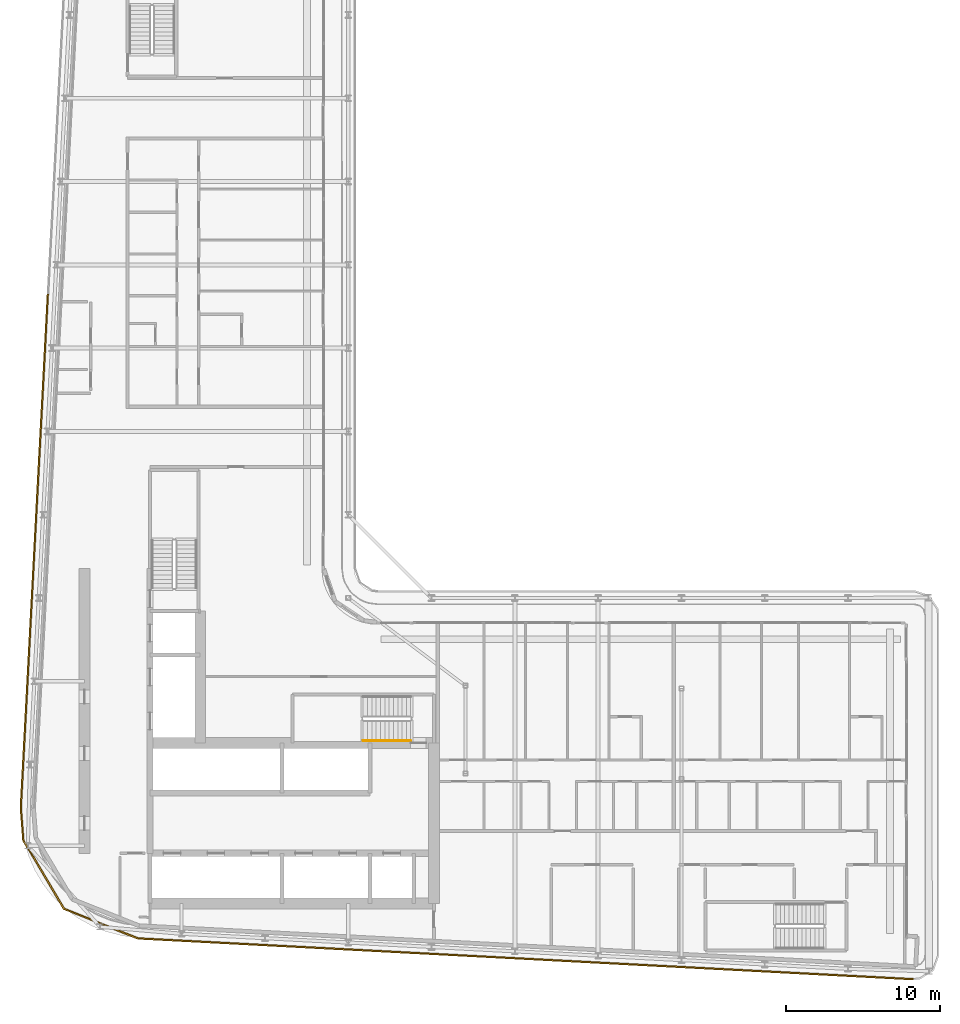
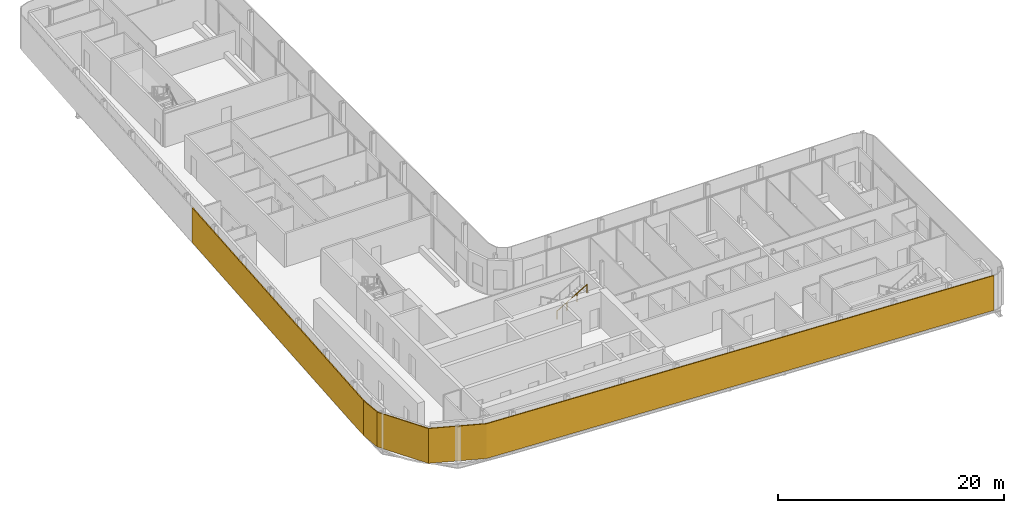
# One storey, part 17 of 23: 2 shading devices, 1 railing.
"""IFC4 building model written with IfcOpenShell, lengths in metres."""

from ifc_helpers import new_model, si_unit, direction, frame, origin, origin_2d, place, context, subcontext, project, spatial, polyline, rectangle, circle, outline, extrude, material, layer, layer_set, type_object, element, save


model = new_model("IFC4")

# Units and contexts
model_context = context("Model", 3, precision=1e-05, world=origin(), true_north=direction((0.0, 1.0)))
body_context = subcontext(model_context, "Body", "Model", "MODEL_VIEW")
ifc_project = project(units=[si_unit("LENGTHUNIT", "METRE"), si_unit("AREAUNIT", "SQUARE_METRE"), si_unit("VOLUMEUNIT", "CUBIC_METRE"), si_unit("PLANEANGLEUNIT", "RADIAN"), si_unit("MASSUNIT", "GRAM", prefix="KILO")], contexts=[model_context])

# Site, building, storey
site_placement = place(None, origin())
site = spatial("IfcSite", under=ifc_project, at=site_placement, CompositionType="ELEMENT")
building_placement = place(site_placement, origin())
building = spatial("IfcBuilding", under=site, at=building_placement, Name="Kheshtan School and Residences Tower", CompositionType="ELEMENT")
storey_placement = place(building_placement, frame((0.0, 0.0, 243.5)))
storey = spatial("IfcBuildingStorey", under=building, at=storey_placement, Name="L57", CompositionType="ELEMENT", Elevation=243.5)

# Shading devices
ifc_material_1 = material(Name="Terracotta baguette, extruded ceramic", Category="masonry")
ifc_layer = layer(ifc_material_1, 0.10009765625)
ifc_layer_set = layer_set([ifc_layer], Name="Ledge screen, terracotta baguettes")
shading_device_type = type_object("IfcShadingDeviceType", Name="Ledge screen, terracotta baguettes", PredefinedType="USERDEFINED", material=ifc_layer_set)
shading_device_1_placement = place(storey_placement, origin())
element("IfcShadingDevice", 1, at=shading_device_1_placement, inside=storey, type_object=shading_device_type, Name="Screen L57 3", ObjectType="BAGUETTE", PredefinedType="USERDEFINED", context=body_context, shape_type="SweptSolid", body=[
    extrude(outline(polyline([(84.220947265625, 20.93603515625), (33.989013671875, 23.580078125), (29.2119140625, 25.486083984375), (26.583984375, 29.906982421875), (26.419921875, 31.989013671875), (26.320068359375, 31.98095703125), (26.486083984375, 29.8759765625), (29.14306640625, 25.406005859375), (33.967041015625, 23.48095703125), (84.216064453125, 20.8359375), (84.220947265625, 20.93603515625)])), origin(), (0.0, 0.0, 1.0), 3.75),
])
shading_device_2_placement = place(storey_placement, frame((27.24609375, 48.638916015625, 0.0), z_axis=(0.0, 0.0, 1.0), x_axis=(0.052562536748, 0.998617634398, 0.0)))
element("IfcShadingDevice", 2, at=shading_device_2_placement, inside=storey, type_object=shading_device_type, Name="Screen L57 4", ObjectType="BAGUETTE", PredefinedType="USERDEFINED", context=body_context, shape_type="SweptSolid", body=[
    extrude(rectangle(XDim=33.341064453125, YDim=0.10009765625, at=origin_2d()), origin(), (0.0, 0.0, 1.0), 3.75),
])

# Railing
ifc_material_2 = material(Name="Stainless steel handrail", Category="steel")
railing_type = type_object("IfcRailingType", Name="Stair handrail 900", PredefinedType="HANDRAIL", material=ifc_material_2)
railing_placement = place(storey_placement, frame((48.570068359375, 36.35009765625, 2.112548828125)))
element("IfcRailing", 3, at=railing_placement, inside=storey, type_object=railing_type, Name="L57 ST1 stair handrail 2", PredefinedType="HANDRAIL", context=body_context, shape_type="SweptSolid", body=[
    extrude(circle(Radius=0.02392578125, at=origin_2d()), frame((0.0, 0.0, 0.8759765625), z_axis=(0.864903211148, 0.0, 0.501938676878), x_axis=(0.0, 1.0, 0.0)), (0.0, 0.0, 1.0), 3.560791015625),
    extrude(circle(Radius=0.02099609375, at=origin_2d()), origin(), (0.0, 0.0, 1.0), 0.851806640625),
    extrude(circle(Radius=0.02099609375, at=origin_2d()), frame((1.026611328125, 0.0, 0.595703125)), (0.0, 0.0, 1.0), 0.851806640625),
    extrude(circle(Radius=0.02099609375, at=origin_2d()), frame((2.05322265625, 0.0, 1.191650390625)), (0.0, 0.0, 1.0), 0.851806640625),
    extrude(circle(Radius=0.02099609375, at=origin_2d()), frame((3.079833984375, 0.0, 1.787353515625)), (0.0, 0.0, 1.0), 0.851806640625),
])

save(model, "model.ifc")
